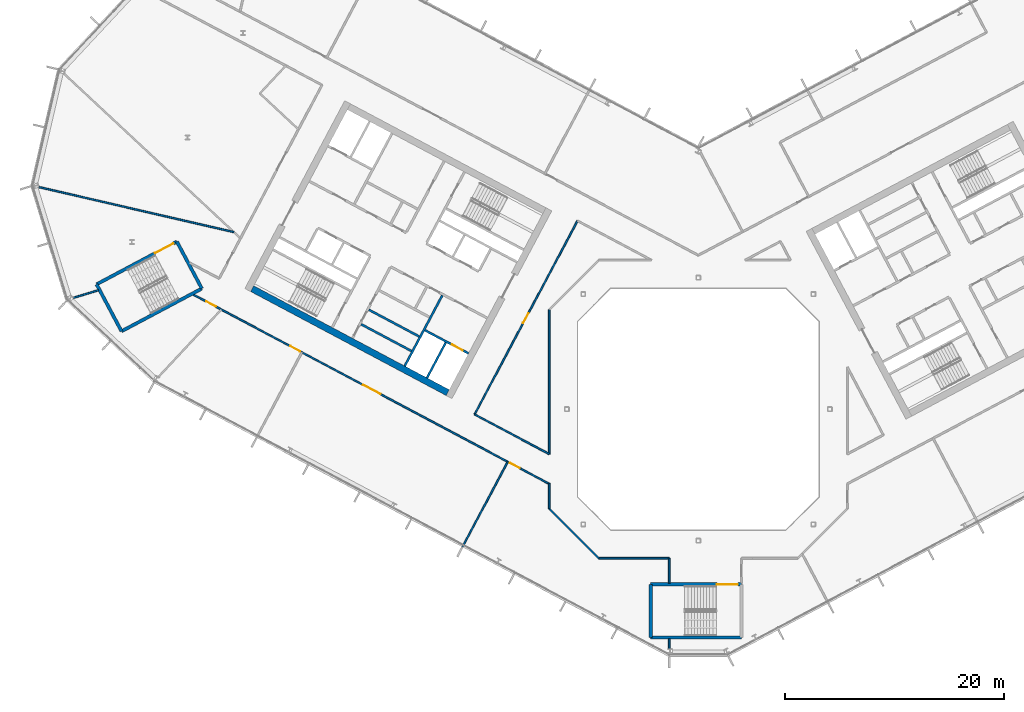
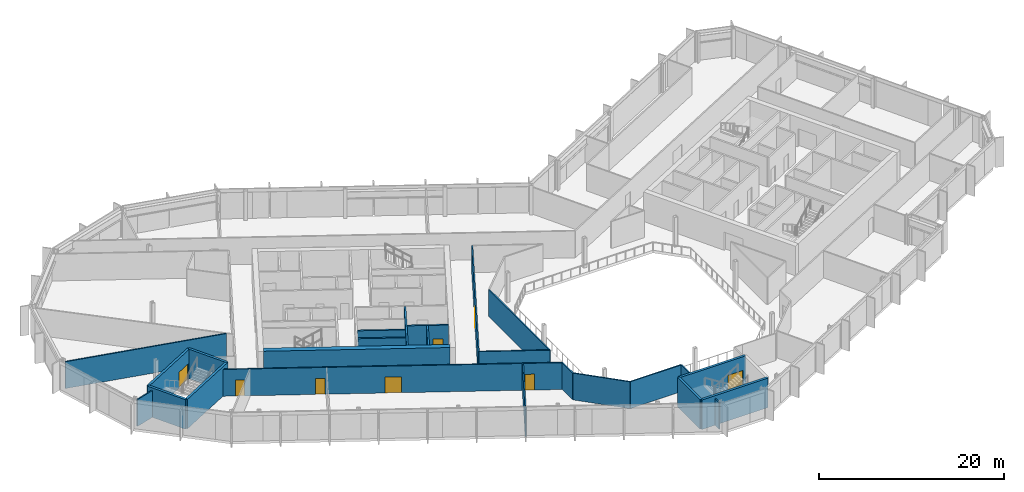
# One storey, part 13 of 27: 25 walls, 8 doors, 8 openings.
"""IFC4 building model written with IfcOpenShell, lengths in metres."""

from ifc_helpers import new_model, si_unit, direction, frame, frame_2d, origin, place, context, subcontext, project, spatial, rectangle, extrude, material, layer, layer_set, type_object, element, fill, save


model = new_model("IFC4")

# Units and contexts
model_context = context("Model", 3, precision=1e-05, world=origin(), true_north=direction((0.0, 1.0)))
body_context = subcontext(model_context, "Body", "Model", "MODEL_VIEW")
ifc_project = project(units=[si_unit("LENGTHUNIT", "METRE"), si_unit("AREAUNIT", "SQUARE_METRE"), si_unit("VOLUMEUNIT", "CUBIC_METRE"), si_unit("PLANEANGLEUNIT", "RADIAN"), si_unit("MASSUNIT", "GRAM", prefix="KILO")], contexts=[model_context])

# Site, building, storey
site_placement = place(None, origin())
site = spatial("IfcSite", under=ifc_project, at=site_placement, CompositionType="ELEMENT")
building_placement = place(site_placement, origin())
building = spatial("IfcBuilding", under=site, at=building_placement, Name="Cormorant Relay Tower", CompositionType="ELEMENT")
storey_placement = place(building_placement, frame((0.0, 0.0, 240.300048828125)))
storey = spatial("IfcBuildingStorey", under=building, at=storey_placement, Name="L53", CompositionType="ELEMENT", Elevation=240.300048828125)

# Walls
ifc_material_1 = material(Name="Concrete 40 MPa", Category="concrete")
ifc_layer_1 = layer(ifc_material_1, 0.199951171875)
ifc_layer_set_1 = layer_set([ifc_layer_1], Name="Core internal wall 200")
wall_type_1 = type_object("IfcWallType", Name="Core internal wall 200", PredefinedType="SOLIDWALL", material=ifc_layer_set_1)
for number, where, z_axis, x_axis, name in (
    (1, (-25.46728515625, 6.632568359375, 0.0), (0.0, 0.0, 1.0), (-0.882953967957, 0.469459572775, 0.0), "L53 core A shaft and room wall"),
    (2, (-26.17138671875, 5.30810546875, 0.0), (0.0, 0.0, 1.0), (-0.882953967957, 0.469459572775, 0.0), "L53 core A shaft and room wall"),
):
    element("IfcWall", number, at=place(storey_placement, frame(where, z_axis=z_axis, x_axis=x_axis)), inside=storey, type_object=wall_type_1, Name=name, PredefinedType="SOLIDWALL", context=body_context, shape_type="SweptSolid", body=[
        extrude(rectangle(XDim=5.199951171875, YDim=0.199951171875, at=frame_2d((2.60009765625, 0.0))), origin(), (0.0, 0.0, 1.0), 3.89990234375),
    ])
ifc_material_2 = material(Name="Concrete 50 MPa", Category="concrete")
ifc_layer_2 = layer(ifc_material_2, 0.199951171875)
ifc_layer_set_2 = layer_set([ifc_layer_2], Name="Core shaft wall 200")
wall_type_2 = type_object("IfcWallType", Name="Core shaft wall 200", PredefinedType="SHEAR", material=ifc_layer_set_2)
wall_1_placement = place(storey_placement, frame((-23.04296875, 6.07958984375, 0.0), z_axis=(0.0, 0.0, 1.0), x_axis=(-0.469494272526, -0.882935517501, 0.0)))
element("IfcWall", 3, at=wall_1_placement, inside=storey, type_object=wall_type_2, Name="L53 core A shaft wall", PredefinedType="SHEAR", context=body_context, shape_type="SweptSolid", body=[
    extrude(rectangle(XDim=3.64990234375, YDim=0.199951171875, at=frame_2d((1.824951171875, 0.0))), origin(), (0.0, 0.0, 1.0), 3.89990234375),
])
wall_2_placement = place(storey_placement, frame((-23.360107421875, 10.38232421875, 0.0), z_axis=(0.0, 0.0, 1.0), x_axis=(-0.469480409012, -0.88294288918, 0.0)))
element("IfcWall", 4, at=wall_2_placement, inside=storey, type_object=wall_type_2, Name="L53 core A shaft wall", PredefinedType="SHEAR", context=body_context, shape_type="SweptSolid", body=[
    extrude(rectangle(XDim=7.300048828125, YDim=0.199951171875, at=frame_2d((3.64990234375, 0.0))), origin(), (0.0, 0.0, 1.0), 3.89990234375),
])

# Wall, opening, door
wall_3_placement = place(storey_placement, frame((-20.96533203125, 5.088134765625, 0.0), z_axis=(0.0, 0.0, 1.0), x_axis=(-0.882925986334, 0.469512196493, 0.0)))
wall_3 = element("IfcWall", 5, at=wall_3_placement, inside=storey, type_object=wall_type_2, Name="L53 core A shaft wall", PredefinedType="SHEAR", context=body_context, shape_type="SweptSolid", body=[
    extrude(rectangle(XDim=4.5, YDim=0.199951171875, at=frame_2d((2.25, 0.0))), origin(), (0.0, 0.0, 1.0), 3.89990234375),
])
opening_1_placement = place(wall_3_placement, frame((0.60009765625, 0.0, 0.0)))
opening_1 = element("IfcOpeningElement", 6, at=opening_1_placement, cuts=wall_3, Name="Opening LD1-063", PredefinedType="OPENING", context=body_context, shape_type="SweptSolid", body=[
    extrude(rectangle(XDim=1.10009765625, YDim=2.10009765625, at=frame_2d((0.550048828125, 1.050048828125))), frame((0.0, 0.10986328125, 0.0), z_axis=(0.0, -1.0, 0.0), x_axis=(1.0, 0.0, 0.0)), (0.0, 0.0, 1.0), 0.219970703125),
])
ifc_material_3 = material(Name="Stainless steel 316", Category="steel")
door_type_1 = type_object("IfcDoorType", Name="Lift landing door 1100x2100", OperationType="DOUBLE_DOOR_SLIDING", PredefinedType="DOOR", material=ifc_material_3)
door_1_placement = place(opening_1_placement, origin())
door_1 = element("IfcDoor", 7, at=door_1_placement, inside=storey, type_object=door_type_1, Name="FF1 landing door", OperationType="DOUBLE_DOOR_SLIDING", OverallHeight=2.10009765625, OverallWidth=1.10009765625, PredefinedType="DOOR", context=body_context, shape_type="SweptSolid", body=[
    extrude(rectangle(XDim=1.10009765625, YDim=2.10009765625, at=frame_2d((0.550048828125, 1.050048828125))), frame((0.0, 0.02490234375, 0.0), z_axis=(0.0, -1.0, 0.0), x_axis=(1.0, 0.0, 0.0)), (0.0, 0.0, 1.0), 0.050048828125),
])
fill(opening_1, door_1)

# Wall
ifc_material_4 = material(Name="Concrete 50 MPa", Category="concrete")
ifc_layer_3 = layer(ifc_material_4, 0.60009765625)
ifc_layer_set_3 = layer_set([ifc_layer_3], Name="Core wall 600")
wall_type_3 = type_object("IfcWallType", Name="Core wall 600", PredefinedType="SHEAR", material=ifc_layer_set_3)
wall_4_placement = place(storey_placement, frame((-22.86669921875, 1.51220703125, 0.0), z_axis=(0.0, 0.0, 1.0), x_axis=(-0.88294509198, 0.469476266226, 0.0)))
element("IfcWall", 8, at=wall_4_placement, inside=storey, type_object=wall_type_3, Name="L53 core A wall", PredefinedType="SHEAR", context=body_context, shape_type="SweptSolid", body=[
    extrude(rectangle(XDim=20.199951171875, YDim=0.60009765625, at=frame_2d((10.10009765625, 0.0))), origin(), (0.0, 0.0, 1.0), 3.89990234375),
])

# Wall, openings, doors
ifc_material_5 = material(Name="Gypsum board fire partition")
ifc_layer_4 = layer(ifc_material_5, 0.14990234375)
ifc_layer_set_4 = layer_set([ifc_layer_4], Name="Corridor partition 150 EI 60")
wall_type_4 = type_object("IfcWallType", Name="Corridor partition 150 EI 60", PredefinedType="PARTITIONING", material=ifc_layer_set_4)
wall_5_placement = place(storey_placement, frame((-13.60009765625, -6.81298828125, 0.0), z_axis=(0.0, 0.0, 1.0), x_axis=(-0.8829403307, 0.469485220666, 0.0)))
wall_5 = element("IfcWall", 9, at=wall_5_placement, inside=storey, type_object=wall_type_4, Name="wall/L53/part/014", PredefinedType="PARTITIONING", context=body_context, shape_type="SweptSolid", body=[
    extrude(rectangle(XDim=36.797607421875, YDim=0.14990234375, at=frame_2d((18.39892578125, 0.0))), origin(), (0.0, 0.0, 1.0), 3.5400390625),
])
opening_2_placement = place(wall_5_placement, frame((34.449951171875, 0.0, 0.0)))
opening_2 = element("IfcOpeningElement", 10, at=opening_2_placement, cuts=wall_5, Name="Opening DS-169", PredefinedType="OPENING", context=body_context, shape_type="SweptSolid", body=[
    extrude(rectangle(XDim=1.0, YDim=2.10009765625, at=frame_2d((0.5, 1.050048828125))), frame((0.0, 0.0849609375, 0.0), z_axis=(0.0, -1.0, 0.0), x_axis=(1.0, 0.0, 0.0)), (0.0, 0.0, 1.0), 0.169921875),
])
opening_3_placement = place(wall_5_placement, frame((25.75, 0.0, 0.0)))
opening_3 = element("IfcOpeningElement", 11, at=opening_3_placement, cuts=wall_5, Name="Opening DS-170", PredefinedType="OPENING", context=body_context, shape_type="SweptSolid", body=[
    extrude(rectangle(XDim=1.0, YDim=2.10009765625, at=frame_2d((0.5, 1.050048828125))), frame((0.0, 0.0849609375, 0.0), z_axis=(0.0, -1.0, 0.0), x_axis=(1.0, 0.0, 0.0)), (0.0, 0.0, 1.0), 0.169921875),
])
opening_4_placement = place(wall_5_placement, frame((17.449951171875, 0.0, 0.0)))
opening_4 = element("IfcOpeningElement", 12, at=opening_4_placement, cuts=wall_5, Name="Opening DD-030", PredefinedType="OPENING", context=body_context, shape_type="SweptSolid", body=[
    extrude(rectangle(XDim=1.800048828125, YDim=2.10009765625, at=frame_2d((0.89990234375, 1.050048828125))), frame((0.0, 0.0849609375, 0.0), z_axis=(0.0, -1.0, 0.0), x_axis=(1.0, 0.0, 0.0)), (0.0, 0.0, 1.0), 0.169921875),
])
opening_5_placement = place(wall_5_placement, frame((3.050048828125, 0.0, 0.0)))
opening_5 = element("IfcOpeningElement", 13, at=opening_5_placement, cuts=wall_5, Name="Opening DS-171", PredefinedType="OPENING", context=body_context, shape_type="SweptSolid", body=[
    extrude(rectangle(XDim=1.0, YDim=2.10009765625, at=frame_2d((0.5, 1.050048828125))), frame((0.0, 0.0849609375, 0.0), z_axis=(0.0, -1.0, 0.0), x_axis=(1.0, 0.0, 0.0)), (0.0, 0.0, 1.0), 0.169921875),
])
ifc_material_6 = material(Name="Timber door leaf", Category="wood")
door_type_2 = type_object("IfcDoorType", Name="Suite door 1000x2100", OperationType="SINGLE_SWING_LEFT", PredefinedType="DOOR", material=ifc_material_6)
door_2_placement = place(opening_2_placement, origin())
door_2 = element("IfcDoor", 14, at=door_2_placement, inside=storey, type_object=door_type_2, Name="door/L53/008", OperationType="SINGLE_SWING_LEFT", OverallHeight=2.10009765625, OverallWidth=1.0, PredefinedType="DOOR", context=body_context, shape_type="SweptSolid", body=[
    extrude(rectangle(XDim=1.0, YDim=2.10009765625, at=frame_2d((0.5, 1.050048828125))), frame((0.0, 0.02490234375, 0.0), z_axis=(0.0, -1.0, 0.0), x_axis=(1.0, 0.0, 0.0)), (0.0, 0.0, 1.0), 0.050048828125),
])
fill(opening_2, door_2)
door_3_placement = place(opening_3_placement, origin())
door_3 = element("IfcDoor", 15, at=door_3_placement, inside=storey, type_object=door_type_2, Name="door/L53/009", OperationType="SINGLE_SWING_LEFT", OverallHeight=2.10009765625, OverallWidth=1.0, PredefinedType="DOOR", context=body_context, shape_type="SweptSolid", body=[
    extrude(rectangle(XDim=1.0, YDim=2.10009765625, at=frame_2d((0.5, 1.050048828125))), frame((0.0, 0.02490234375, 0.0), z_axis=(0.0, -1.0, 0.0), x_axis=(1.0, 0.0, 0.0)), (0.0, 0.0, 1.0), 0.050048828125),
])
fill(opening_3, door_3)
door_4_placement = place(opening_5_placement, origin())
door_4 = element("IfcDoor", 16, at=door_4_placement, inside=storey, type_object=door_type_2, Name="door/L53/011", OperationType="SINGLE_SWING_RIGHT", OverallHeight=2.10009765625, OverallWidth=1.0, PredefinedType="DOOR", context=body_context, shape_type="SweptSolid", body=[
    extrude(rectangle(XDim=1.0, YDim=2.10009765625, at=frame_2d((0.5, 1.050048828125))), frame((0.0, 0.02490234375, 0.0), z_axis=(0.0, -1.0, 0.0), x_axis=(1.0, 0.0, 0.0)), (0.0, 0.0, 1.0), 0.050048828125),
])
fill(opening_5, door_4)
ifc_material_7 = material(Name="Timber door leaf", Category="wood")
door_type_3 = type_object("IfcDoorType", Name="Suite double door 1800x2100", OperationType="DOUBLE_DOOR_SINGLE_SWING", PredefinedType="DOOR", material=ifc_material_7)
door_5_placement = place(opening_4_placement, origin())
door_5 = element("IfcDoor", 17, at=door_5_placement, inside=storey, type_object=door_type_3, Name="door/L53/010", OperationType="DOUBLE_DOOR_SINGLE_SWING", OverallHeight=2.10009765625, OverallWidth=1.800048828125, PredefinedType="DOOR", context=body_context, shape_type="SweptSolid", body=[
    extrude(rectangle(XDim=1.800048828125, YDim=2.10009765625, at=frame_2d((0.89990234375, 1.050048828125))), frame((0.0, 0.02490234375, 0.0), z_axis=(0.0, -1.0, 0.0), x_axis=(1.0, 0.0, 0.0)), (0.0, 0.0, 1.0), 0.050048828125),
])
fill(opening_4, door_5)

# Walls
wall_6_placement = place(storey_placement, frame((-2.64892578125, -13.60009765625, 0.0), z_axis=(0.0, 0.0, 1.0), x_axis=(-1.0, 0.0, 0.0)))
element("IfcWall", 18, at=wall_6_placement, inside=storey, type_object=wall_type_4, Name="wall/L53/part/019", PredefinedType="PARTITIONING", context=body_context, shape_type="SweptSolid", body=[
    extrude(rectangle(XDim=6.427978515625, YDim=0.14990234375, at=frame_2d((3.2138671875, 0.0))), origin(), (0.0, 0.0, 1.0), 3.5400390625),
])
wall_7_placement = place(storey_placement, frame((-9.076904296875, -13.60009765625, 0.0), z_axis=(0.0, 0.0, 1.0), x_axis=(-0.707106781187, 0.707106781187, 0.0)))
element("IfcWall", 19, at=wall_7_placement, inside=storey, type_object=wall_type_4, Name="wall/L53/part/020", PredefinedType="PARTITIONING", context=body_context, shape_type="SweptSolid", body=[
    extrude(rectangle(XDim=6.396728515625, YDim=0.14990234375, at=frame_2d((3.1982421875, 0.0))), origin(), (0.0, 0.0, 1.0), 3.5400390625),
])
wall_8_placement = place(storey_placement, frame((-13.60009765625, -9.076904296875, 0.0), z_axis=(0.0, 0.0, 1.0), x_axis=(0.0, 1.0, 0.0)))
element("IfcWall", 20, at=wall_8_placement, inside=storey, type_object=wall_type_4, Name="wall/L53/part/021", PredefinedType="PARTITIONING", context=body_context, shape_type="SweptSolid", body=[
    extrude(rectangle(XDim=2.31396484375, YDim=0.14990234375, at=frame_2d((1.156982421875, 0.0))), origin(), (0.0, 0.0, 1.0), 3.5400390625),
])
wall_9_placement = place(storey_placement, frame((-2.64892578125, -13.60009765625, 0.0), z_axis=(0.0, 0.0, 1.0), x_axis=(0.0, -1.0, 0.0)))
element("IfcWall", 21, at=wall_9_placement, inside=storey, type_object=wall_type_4, Name="wall/L53/part/023", PredefinedType="PARTITIONING", context=body_context, shape_type="SweptSolid", body=[
    extrude(rectangle(XDim=2.27490234375, YDim=0.14990234375, at=frame_2d((1.137451171875, 0.0))), origin(), (0.0, 0.0, 1.0), 3.5400390625),
])

# Wall, opening, door
wall_10_placement = place(storey_placement, frame((-20.410888671875, -0.472900390625, 0.0), z_axis=(0.0, 0.0, 1.0), x_axis=(0.469451816494, 0.882958091865, 0.0)))
wall_10 = element("IfcWall", 22, at=wall_10_placement, inside=storey, type_object=wall_type_4, Name="wall/L53/part/045", PredefinedType="PARTITIONING", context=body_context, shape_type="SweptSolid", body=[
    extrude(rectangle(XDim=19.999755859375, YDim=0.14990234375, at=frame_2d((10.0, 0.0))), origin(), (0.0, 0.0, 1.0), 3.5400390625),
])
opening_6_placement = place(wall_10_placement, frame((9.449951171875, 0.0, 0.0)))
opening_6 = element("IfcOpeningElement", 23, at=opening_6_placement, cuts=wall_10, Name="Opening DS-132", PredefinedType="OPENING", context=body_context, shape_type="SweptSolid", body=[
    extrude(rectangle(XDim=1.0, YDim=2.10009765625, at=frame_2d((0.5, 1.050048828125))), frame((0.0, 0.0849609375, 0.0), z_axis=(0.0, -1.0, 0.0), x_axis=(1.0, 0.0, 0.0)), (0.0, 0.0, 1.0), 0.169921875),
])
door_6_placement = place(opening_6_placement, frame((1.0, 0.0, 0.0), z_axis=(0.0, 0.0, 1.0), x_axis=(-1.0, 0.0, 0.0)))
door_6 = element("IfcDoor", 24, at=door_6_placement, inside=storey, type_object=door_type_2, Name="door/L53/012", OperationType="SINGLE_SWING_LEFT", OverallHeight=2.10009765625, OverallWidth=1.0, PredefinedType="DOOR", context=body_context, shape_type="SweptSolid", body=[
    extrude(rectangle(XDim=1.0, YDim=2.10009765625, at=frame_2d((0.5, 1.050048828125))), frame((0.0, 0.02490234375, 0.0), z_axis=(0.0, -1.0, 0.0), x_axis=(1.0, 0.0, 0.0)), (0.0, 0.0, 1.0), 0.050048828125),
])
fill(opening_6, door_6)

# Walls
wall_11_placement = place(storey_placement, frame((-13.60009765625, 9.076904296875, 0.0), z_axis=(0.0, 0.0, 1.0), x_axis=(0.0, -1.0, 0.0)))
element("IfcWall", 25, at=wall_11_placement, inside=storey, type_object=wall_type_4, Name="wall/L53/part/049", PredefinedType="PARTITIONING", context=body_context, shape_type="SweptSolid", body=[
    extrude(rectangle(XDim=13.1708984375, YDim=0.14990234375, at=frame_2d((6.58544921875, 0.0))), origin(), (0.0, 0.0, 1.0), 3.5400390625),
])
wall_12_placement = place(storey_placement, frame((-13.60009765625, -4.093994140625, 0.0), z_axis=(0.0, 0.0, 1.0), x_axis=(-0.882961998231, 0.469444469218, 0.0)))
element("IfcWall", 26, at=wall_12_placement, inside=storey, type_object=wall_type_4, Name="wall/L53/part/050", PredefinedType="PARTITIONING", context=body_context, shape_type="SweptSolid", body=[
    extrude(rectangle(XDim=7.713623046875, YDim=0.14990234375, at=frame_2d((3.85693359375, 0.0))), origin(), (0.0, 0.0, 1.0), 3.5400390625),
])
ifc_material_8 = material(Name="Concrete 50 MPa", Category="concrete")
ifc_layer_5 = layer(ifc_material_8, 0.300048828125)
ifc_layer_set_5 = layer_set([ifc_layer_5], Name="Remote stair wall 300")
wall_type_5 = type_object("IfcWallType", Name="Remote stair wall 300", PredefinedType="SHEAR", material=ifc_layer_set_5)
wall_13_placement = place(storey_placement, frame((3.949951171875, -20.824951171875, 0.0), z_axis=(0.0, 0.0, 1.0), x_axis=(-1.0, 0.0, 0.0)))
element("IfcWall", 27, at=wall_13_placement, inside=storey, type_object=wall_type_5, Name="L53 exit stair RK1 wall", PredefinedType="SHEAR", context=body_context, shape_type="SweptSolid", body=[
    extrude(rectangle(XDim=8.300048828125, YDim=0.300048828125, at=frame_2d((4.14990234375, 0.0))), origin(), (0.0, 0.0, 1.0), 3.89990234375),
])
wall_14_placement = place(storey_placement, frame((-4.35009765625, -20.824951171875, 0.0), z_axis=(0.0, 0.0, 1.0), x_axis=(0.0, 1.0, 0.0)))
element("IfcWall", 28, at=wall_14_placement, inside=storey, type_object=wall_type_5, Name="L53 exit stair RK1 wall", PredefinedType="SHEAR", context=body_context, shape_type="SweptSolid", body=[
    extrude(rectangle(XDim=4.849853515625, YDim=0.300048828125, at=frame_2d((2.4248046875, 0.0))), origin(), (0.0, 0.0, 1.0), 3.89990234375),
])

# Wall, opening, door
wall_15_placement = place(storey_placement, frame((-4.35009765625, -15.97509765625, 0.0), z_axis=(0.0, 0.0, 1.0), x_axis=(1.0, 0.0, 0.0)))
wall_15 = element("IfcWall", 29, at=wall_15_placement, inside=storey, type_object=wall_type_5, Name="L53 exit stair RK1 wall", PredefinedType="SHEAR", context=body_context, shape_type="SweptSolid", body=[
    extrude(rectangle(XDim=8.300048828125, YDim=0.300048828125, at=frame_2d((4.14990234375, 0.0))), origin(), (0.0, 0.0, 1.0), 3.89990234375),
])
opening_7_placement = place(wall_15_placement, frame((6.050048828125, 0.0, 0.0)))
opening_7 = element("IfcOpeningElement", 30, at=opening_7_placement, cuts=wall_15, Name="Opening CDE-014", PredefinedType="OPENING", context=body_context, shape_type="SweptSolid", body=[
    extrude(rectangle(XDim=1.89990234375, YDim=2.10009765625, at=frame_2d((0.949951171875, 1.050048828125))), frame((0.0, 0.159912109375, 0.0), z_axis=(0.0, -1.0, 0.0), x_axis=(1.0, 0.0, 0.0)), (0.0, 0.0, 1.0), 0.320068359375),
])
ifc_material_9 = material(Name="Steel fire door", Category="steel")
door_type_4 = type_object("IfcDoorType", Name="Remote stair door 1900x2100", OperationType="DOUBLE_DOOR_SINGLE_SWING", PredefinedType="DOOR", material=ifc_material_9)
door_7_placement = place(opening_7_placement, frame((1.89990234375, 0.0, 0.0), z_axis=(0.0, 0.0, 1.0), x_axis=(-1.0, 0.0, 0.0)))
door_7 = element("IfcDoor", 31, at=door_7_placement, inside=storey, type_object=door_type_4, Name="Exit stair RK1 door", OperationType="DOUBLE_DOOR_SINGLE_SWING", OverallHeight=2.10009765625, OverallWidth=1.89990234375, PredefinedType="DOOR", context=body_context, shape_type="SweptSolid", body=[
    extrude(rectangle(XDim=1.89990234375, YDim=2.10009765625, at=frame_2d((0.949951171875, 1.050048828125))), frame((0.0, 0.02490234375, 0.0), z_axis=(0.0, -1.0, 0.0), x_axis=(1.0, 0.0, 0.0)), (0.0, 0.0, 1.0), 0.050048828125),
])
fill(opening_7, door_7)

# Walls
wall_16_placement = place(storey_placement, frame((-47.57421875, 15.28955078125, 0.0), z_axis=(0.0, 0.0, 1.0), x_axis=(0.469443498566, -0.882962514297, 0.0)))
element("IfcWall", 32, at=wall_16_placement, inside=storey, type_object=wall_type_5, Name="L53 exit stair RP1 wall", PredefinedType="SHEAR", context=body_context, shape_type="SweptSolid", body=[
    extrude(rectangle(XDim=4.85009765625, YDim=0.300048828125, at=frame_2d((2.425048828125, 0.0))), origin(), (0.0, 0.0, 1.0), 3.89990234375),
])
wall_17_placement = place(storey_placement, frame((-45.29736328125, 11.007080078125, 0.0), z_axis=(0.0, 0.0, 1.0), x_axis=(-0.882951519127, -0.469464178475, 0.0)))
element("IfcWall", 33, at=wall_17_placement, inside=storey, type_object=wall_type_5, Name="L53 exit stair RP1 wall", PredefinedType="SHEAR", context=body_context, shape_type="SweptSolid", body=[
    extrude(rectangle(XDim=8.2998046875, YDim=0.300048828125, at=frame_2d((4.14990234375, 0.0))), origin(), (0.0, 0.0, 1.0), 3.89990234375),
])
wall_18_placement = place(storey_placement, frame((-52.625732421875, 7.110595703125, 0.0), z_axis=(0.0, 0.0, 1.0), x_axis=(-0.469464364128, 0.882951420416, 0.0)))
element("IfcWall", 34, at=wall_18_placement, inside=storey, type_object=wall_type_5, Name="L53 exit stair RP1 wall", PredefinedType="SHEAR", context=body_context, shape_type="SweptSolid", body=[
    extrude(rectangle(XDim=4.849853515625, YDim=0.300048828125, at=frame_2d((2.4248046875, 0.0))), origin(), (0.0, 0.0, 1.0), 3.89990234375),
])

# Wall, opening, door
wall_19_placement = place(storey_placement, frame((-54.902587890625, 11.392822265625, 0.0), z_axis=(0.0, 0.0, 1.0), x_axis=(0.882939326045, 0.469487110071, 0.0)))
wall_19 = element("IfcWall", 35, at=wall_19_placement, inside=storey, type_object=wall_type_5, Name="L53 exit stair RP1 wall", PredefinedType="SHEAR", context=body_context, shape_type="SweptSolid", body=[
    extrude(rectangle(XDim=8.300048828125, YDim=0.300048828125, at=frame_2d((4.14990234375, 0.0))), origin(), (0.0, 0.0, 1.0), 3.89990234375),
])
opening_8_placement = place(wall_19_placement, frame((6.050048828125, 0.0, 0.0)))
opening_8 = element("IfcOpeningElement", 36, at=opening_8_placement, cuts=wall_19, Name="Opening CDE-015", PredefinedType="OPENING", context=body_context, shape_type="SweptSolid", body=[
    extrude(rectangle(XDim=1.89990234375, YDim=2.10009765625, at=frame_2d((0.949951171875, 1.050048828125))), frame((0.0, 0.159912109375, 0.0), z_axis=(0.0, -1.0, 0.0), x_axis=(1.0, 0.0, 0.0)), (0.0, 0.0, 1.0), 0.320068359375),
])
door_8_placement = place(opening_8_placement, frame((1.89990234375, 0.0, 0.0), z_axis=(0.0, 0.0, 1.0), x_axis=(-1.0, 0.0, 0.0)))
door_8 = element("IfcDoor", 37, at=door_8_placement, inside=storey, type_object=door_type_4, Name="Exit stair RP1 door", OperationType="DOUBLE_DOOR_SINGLE_SWING", OverallHeight=2.10009765625, OverallWidth=1.89990234375, PredefinedType="DOOR", context=body_context, shape_type="SweptSolid", body=[
    extrude(rectangle(XDim=1.89990234375, YDim=2.10009765625, at=frame_2d((0.949951171875, 1.050048828125))), frame((0.0, 0.02490234375, 0.0), z_axis=(0.0, -1.0, 0.0), x_axis=(1.0, 0.0, 0.0)), (0.0, 0.0, 1.0), 0.050048828125),
])
fill(opening_8, door_8)

# Walls
ifc_material_10 = material(Name="Gypsum board partition")
ifc_layer_6 = layer(ifc_material_10, 0.14990234375)
ifc_layer_set_6 = layer_set([ifc_layer_6], Name="Tenant partition 150")
wall_type_6 = type_object("IfcWallType", Name="Tenant partition 150", PredefinedType="PARTITIONING", material=ifc_layer_set_6)
wall_20_placement = place(storey_placement, frame((-60.162109375, 20.264892578125, 0.0), z_axis=(0.0, 0.0, 1.0), x_axis=(0.974367298847, -0.224963034603, 0.0)))
element("IfcWall", 38, at=wall_20_placement, inside=storey, type_object=wall_type_6, Name="wall/L53/part/001", PredefinedType="PARTITIONING", context=body_context, shape_type="SweptSolid", body=[
    extrude(rectangle(XDim=18.256103515625, YDim=0.14990234375, at=frame_2d((9.1279296875, 0.0))), origin(), (0.0, 0.0, 1.0), 3.5400390625),
])
wall_21_placement = place(storey_placement, frame((-54.73193359375, 10.85693359375, 0.0), z_axis=(0.0, 0.0, 1.0), x_axis=(-0.956308315689, -0.292360061129, 0.0)))
element("IfcWall", 39, at=wall_21_placement, inside=storey, type_object=wall_type_6, Name="wall/L53/part/005", PredefinedType="PARTITIONING", context=body_context, shape_type="SweptSolid", body=[
    extrude(rectangle(XDim=2.36669921875, YDim=0.14990234375, at=frame_2d((1.183349609375, 0.0))), origin(), (0.0, 0.0, 1.0), 3.5400390625),
])
wall_22_placement = place(storey_placement, frame((-17.387939453125, -4.798095703125, 0.0), z_axis=(0.0, 0.0, 1.0), x_axis=(-0.469532456729, -0.882915212281, 0.0)))
element("IfcWall", 40, at=wall_22_placement, inside=storey, type_object=wall_type_6, Name="wall/L53/part/017", PredefinedType="PARTITIONING", context=body_context, shape_type="SweptSolid", body=[
    extrude(rectangle(XDim=8.80029296875, YDim=0.14990234375, at=frame_2d((4.400146484375, 0.0))), origin(), (0.0, 0.0, 1.0), 3.5400390625),
])
wall_23_placement = place(storey_placement, frame((-2.64892578125, -20.925048828125, 0.0), z_axis=(0.0, 0.0, 1.0), x_axis=(0.0, -1.0, 0.0)))
element("IfcWall", 41, at=wall_23_placement, inside=storey, type_object=wall_type_6, Name="wall/L53/part/024", PredefinedType="PARTITIONING", context=body_context, shape_type="SweptSolid", body=[
    extrude(rectangle(XDim=0.94189453125, YDim=0.14990234375, at=frame_2d((0.470947265625, 0.0))), origin(), (0.0, 0.0, 1.0), 3.5400390625),
])

save(model, "model.ifc")
